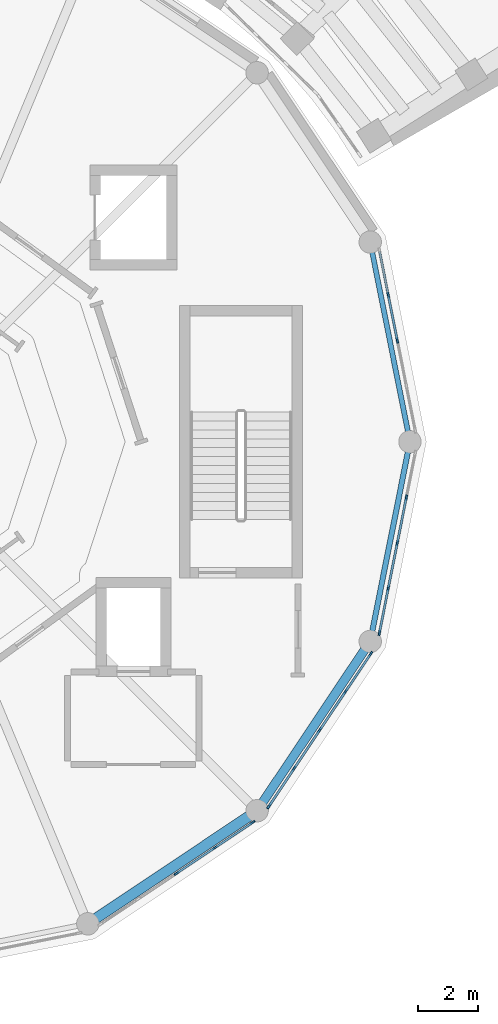
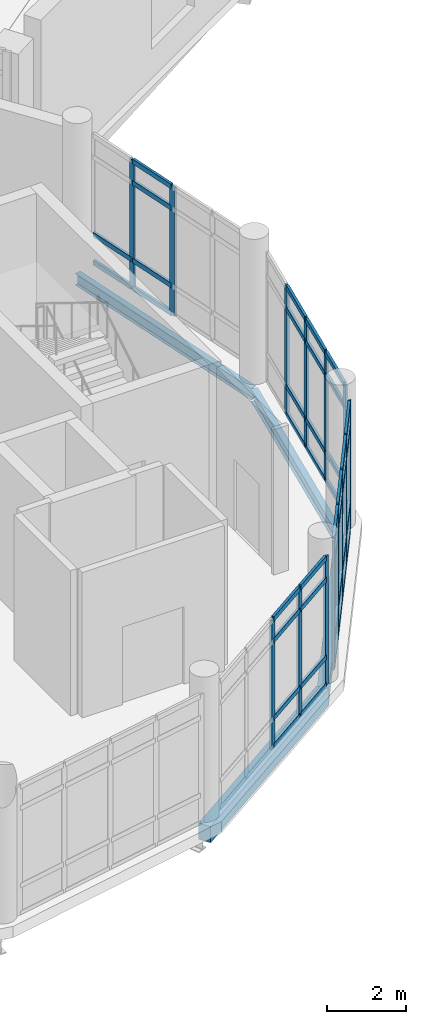
# One storey, part 9 of 27: 56 members, 4 beams, 4 elements without a shape of their own.
"""IFC4 building model written with IfcOpenShell, lengths in metres."""

import ifcopenshell
import ifcopenshell.guid

model = None  # the IFC model being written
_history = None  # IfcOwnerHistory: only IFC2X3 demands one
_inside = {}  # id of a spatial element -> (the spatial element, [elements in it])
_under = {}  # id of a project, library or spatial element -> (it, [spatial elements below it])
_declared = {}  # id of a project -> (the project, [libraries it declares])
_typed = {}  # id of a type object -> (the type object, [elements of that type])
_made_of = {}  # id of a material, layer set ... -> (it, [elements and type objects made of it])


def new_model(schema):
    """Start an empty IFC model of exactly this schema.

    Asked for "IFC4X3", IfcOpenShell would pick the latest addendum, in which some entities
    have other attributes; the version numbers below select the first issue.
    IFC2X3 requires an IfcOwnerHistory on every rooted entity: one is made here for all.
    """
    global model, _history
    if schema == "IFC4X3":
        model = ifcopenshell.file(schema_version=(4, 3, 0, 0))
    else:
        model = ifcopenshell.file(schema=schema)
    _inside.clear()
    _under.clear()
    _declared.clear()
    _typed.clear()
    _made_of.clear()
    _history = None
    if model.schema == "IFC2X3":
        org = make("IfcOrganization", Name="unknown")
        user = make(
            "IfcPersonAndOrganization",
            ThePerson=make("IfcPerson", FamilyName="unknown"),
            TheOrganization=org,
        )
        app = make(
            "IfcApplication",
            ApplicationDeveloper=org,
            Version="unknown",
            ApplicationFullName="unknown",
            ApplicationIdentifier="unknown",
        )
        _history = make(
            "IfcOwnerHistory",
            OwningUser=user,
            OwningApplication=app,
            ChangeAction="ADDED",
            CreationDate=0,
        )
    return model


def make(cls, **values):
    """One entity of the class cls with the attributes given. An attribute that is None is left unset."""
    return model.create_entity(
        cls, **{name: value for name, value in values.items() if value is not None}
    )


def rooted(cls, **values):
    """An entity with a GlobalId (a new one), such as an element, a storey or a relation."""
    return make(cls, GlobalId=ifcopenshell.guid.new(), OwnerHistory=_history, **values)


def si_unit(unit_type, name, prefix=None):
    """IfcSIUnit, for example si_unit("LENGTHUNIT", "METRE", prefix="MILLI")."""
    return make("IfcSIUnit", UnitType=unit_type, Prefix=prefix, Name=name)


def assignment(units):
    """IfcUnitAssignment: the units of a project."""
    return None if units is None else make("IfcUnitAssignment", Units=units)


def point(xyz):
    """IfcCartesianPoint."""
    return None if xyz is None else make("IfcCartesianPoint", Coordinates=xyz)


def direction(xyz):
    """IfcDirection."""
    return None if xyz is None else make("IfcDirection", DirectionRatios=xyz)


def frame(location, z_axis=None, x_axis=None):
    """IfcAxis2Placement3D, a coordinate frame: its origin and axes. An axis left out is left unset."""
    return make(
        "IfcAxis2Placement3D",
        Location=point(location),
        Axis=direction(z_axis),
        RefDirection=direction(x_axis),
    )


def frame_2d(location, x_axis=None):
    """IfcAxis2Placement2D, a coordinate frame in the plane: its origin and x axis."""
    return make(
        "IfcAxis2Placement2D", Location=point(location), RefDirection=direction(x_axis)
    )


def origin():
    """The frame at (0, 0, 0) with its axes left unset."""
    return frame((0.0, 0.0, 0.0))


def origin_2d():
    """The frame at (0, 0) in the plane with its x axis left unset."""
    return frame_2d((0.0, 0.0))


def place(relative_to, where):
    """IfcLocalPlacement: puts the frame where relative to a parent placement (None: the world)."""
    return make(
        "IfcLocalPlacement", PlacementRelTo=relative_to, RelativePlacement=where
    )


def context(
    kind, dimensions, precision=None, world=None, true_north=None, identifier=None
):
    """IfcGeometricRepresentationContext, for example the 3D "Model" context."""
    return make(
        "IfcGeometricRepresentationContext",
        ContextIdentifier=identifier,
        ContextType=kind,
        CoordinateSpaceDimension=dimensions,
        Precision=precision,
        WorldCoordinateSystem=world,
        TrueNorth=true_north,
    )


def subcontext(parent, identifier, kind, view, scale=None):
    """IfcGeometricRepresentationSubContext, for example "Body" below "Model"."""
    return make(
        "IfcGeometricRepresentationSubContext",
        ContextIdentifier=identifier,
        ContextType=kind,
        ParentContext=parent,
        TargetScale=scale,
        TargetView=view,
    )


def project(units=None, contexts=None):
    """IfcProject with its units and contexts."""
    return rooted(
        "IfcProject",
        Name="project",
        RepresentationContexts=contexts,
        UnitsInContext=assignment(units),
    )


def spatial(cls, under=None, at=None, **own):
    """A site, building, storey or space (cls), placed at a placement, below another one or the project."""
    s = rooted(cls, ObjectPlacement=at, **own)
    if under is not None:
        _under.setdefault(under.id(), (under, []))[1].append(s)
    return s


def profile(cls, at=None, kind="AREA", **sizes):
    """A parametric profile (cls). Its sizes go by their IFC names, for example OverallWidth=200.0."""
    return make(cls, ProfileType=kind, Position=at, **sizes)


def rectangle(**sizes):
    """IfcRectangleProfileDef."""
    return profile("IfcRectangleProfileDef", **sizes)


def i_section(**sizes):
    """IfcIShapeProfileDef."""
    return profile("IfcIShapeProfileDef", **sizes)


def extrude(swept, where, along, depth):
    """IfcExtrudedAreaSolid: the profile swept, set in the frame where, extruded along a direction by depth."""
    return make(
        "IfcExtrudedAreaSolid",
        SweptArea=swept,
        Position=where,
        ExtrudedDirection=direction(along),
        Depth=depth,
    )


def shape(context_of_items, identifier, shape_type, items):
    """IfcShapeRepresentation: the items that make up one representation, for example the "Body"."""
    return make(
        "IfcShapeRepresentation",
        ContextOfItems=context_of_items,
        RepresentationIdentifier=identifier,
        RepresentationType=shape_type,
        Items=items,
    )


def material(Name=None, Category=None):
    """IfcMaterial."""
    return make("IfcMaterial", Name=Name, Category=Category)


def material_profile(
    of_material, cross_section, Name=None, Category=None, Priority=None
):
    """IfcMaterialProfile: a cross section and its material."""
    return make(
        "IfcMaterialProfile",
        Name=Name,
        Material=of_material,
        Profile=cross_section,
        Priority=Priority,
        Category=Category,
    )


def profile_set(profiles, Name=None, composite=None):
    """IfcMaterialProfileSet."""
    return make(
        "IfcMaterialProfileSet",
        Name=Name,
        MaterialProfiles=profiles,
        CompositeProfile=composite,
    )


def made_of(thing, what):
    """Note that an element or type object is made of a material, layer set ...; save() writes the relation."""
    if what is not None:
        _made_of.setdefault(what.id(), (what, []))[1].append(thing)
    return thing


def type_object(cls, material=None, **own):
    """A type object (cls), such as IfcWallType, which elements share."""
    return made_of(rooted(cls, **own), material)


def element(
    cls,
    number,
    at=None,
    inside=None,
    cuts=None,
    type_object=None,
    material=None,
    context=None,
    identifier="Body",
    shape_type=None,
    held_by="IfcProductDefinitionShape",
    body=None,
    shapes=None,
    **own,
):
    """One element of the class cls, such as IfcWall. Its Tag is "e" and its number.

    at: its placement. inside: the storey or other place that contains it. cuts: it is an
    opening in that element (IfcRelVoidsElement). A single representation is given by context,
    identifier, shape_type and body (its items); several are given by shapes. held_by: the class
    of the entity that holds the representations. save() writes the other relations.
    """
    e = rooted(cls, Tag="e%d" % number, ObjectPlacement=at, **own)
    if body is not None:
        shapes = [shape(context, identifier, shape_type, body)]
    if shapes is not None:
        e.Representation = make(held_by, Representations=shapes)
    if inside is not None:
        _inside.setdefault(inside.id(), (inside, []))[1].append(e)
    if cuts is not None:
        rooted(
            "IfcRelVoidsElement", RelatingBuildingElement=cuts, RelatedOpeningElement=e
        )
    if type_object is not None:
        _typed.setdefault(type_object.id(), (type_object, []))[1].append(e)
    return made_of(e, material)


def aggregate(whole, parts):
    """IfcRelAggregates: a whole, such as a stair, and the parts it consists of."""
    return rooted("IfcRelAggregates", RelatingObject=whole, RelatedObjects=parts)


def save(model, path):
    """Write the relations noted so far, then the file.

    IfcRelAggregates (storeys below a building ...), IfcRelContainedInSpatialStructure (elements
    in a storey), IfcRelDefinesByType, IfcRelAssociatesMaterial and IfcRelDeclares: one each for
    every whole, place, type object, material and project.
    """
    for whole, parts in _under.values():
        aggregate(whole, parts)
    for where, things in _inside.values():
        rooted(
            "IfcRelContainedInSpatialStructure",
            RelatedElements=things,
            RelatingStructure=where,
        )
    for kind, things in _typed.values():
        rooted("IfcRelDefinesByType", RelatedObjects=things, RelatingType=kind)
    for what, things in _made_of.values():
        rooted("IfcRelAssociatesMaterial", RelatedObjects=things, RelatingMaterial=what)
    for by, libraries in _declared.values():
        rooted("IfcRelDeclares", RelatingContext=by, RelatedDefinitions=libraries)
    model.write(path)


model = new_model("IFC4")

# Units and contexts
model_context = context("Model", 3, precision=1e-05, world=origin(), true_north=direction((0.0, 1.0)))
body_context = subcontext(model_context, "Body", "Model", "MODEL_VIEW")
ifc_project = project(units=[si_unit("LENGTHUNIT", "METRE"), si_unit("AREAUNIT", "SQUARE_METRE"), si_unit("VOLUMEUNIT", "CUBIC_METRE"), si_unit("PLANEANGLEUNIT", "RADIAN"), si_unit("MASSUNIT", "GRAM", prefix="KILO")], contexts=[model_context])

# Site, building, storey
site_placement = place(None, origin())
site = spatial("IfcSite", under=ifc_project, at=site_placement, CompositionType="ELEMENT")
building_placement = place(site_placement, origin())
building = spatial("IfcBuilding", under=site, at=building_placement, Name="Soyqirgoq Riverine Aquarium", CompositionType="ELEMENT")
storey_placement = place(building_placement, frame((0.0, 0.0, 19.800048828125)))
storey = spatial("IfcBuildingStorey", under=building, at=storey_placement, Name="L05", CompositionType="ELEMENT", Elevation=19.800048828125)

# Curtain wall, members
ifc_material_1 = material(Name="Anodised aluminium thermally broken triple low-E glazing", Category="aluminium")
curtain_wall_type = type_object("IfcCurtainWallType", Name="CW_DrumGallery_Unitised", PredefinedType="NOTDEFINED", material=ifc_material_1)
curtain_wall_1_placement = place(storey_placement, origin())
curtain_wall_1 = element("IfcCurtainWall", 1, at=curtain_wall_1_placement, inside=storey, type_object=curtain_wall_type, Name="V1 L05 Curtain Wall 005", PredefinedType="NOTDEFINED")
ifc_material_2 = material(Name="Anodised aluminium 6063-T6", Category="aluminium")
ifc_material_profile_1 = material_profile(ifc_material_2, rectangle(XDim=0.06494140625, YDim=0.179931640625, at=origin_2d()), Name="ALU-M 65x180")
ifc_profile_set_1 = profile_set([ifc_material_profile_1], Name="Anodised aluminium 6063-T6")
member_type_1 = type_object("IfcMemberType", Name="CWMullion_65x180", PredefinedType="MULLION", material=ifc_profile_set_1)
member_1_placement = place(storey_placement, frame((73.0263671875, 60.38671875, 0.0), z_axis=(0.0, 0.0, 1.0), x_axis=(-0.980787663396, -0.19507834152, 0.0)))
member_1 = element("IfcMember", 2, at=member_1_placement, type_object=member_type_1, Name="CW-01 mullion 3", PredefinedType="MULLION", context=body_context, shape_type="SweptSolid", body=[
    extrude(rectangle(XDim=0.06494140625, YDim=0.179931640625, at=origin_2d()), origin(), (0.0, 0.0, 1.0), 4.0),
])
member_2_placement = place(storey_placement, frame((72.724365234375, 61.904541015625, 0.0), z_axis=(0.0, 0.0, 1.0), x_axis=(-0.980787663396, -0.19507834152, 0.0)))
member_2 = element("IfcMember", 3, at=member_2_placement, type_object=member_type_1, Name="CW-01 mullion 4", PredefinedType="MULLION", context=body_context, shape_type="SweptSolid", body=[
    extrude(rectangle(XDim=0.06494140625, YDim=0.179931640625, at=origin_2d()), origin(), (0.0, 0.0, 1.0), 4.0),
])

curtain_wall_2_placement = place(storey_placement, origin())
curtain_wall_2 = element("IfcCurtainWall", 4, at=curtain_wall_2_placement, inside=storey, type_object=curtain_wall_type, Name="V1 L05 Curtain Wall 064", PredefinedType="NOTDEFINED")
member_3_placement = place(storey_placement, frame((65.64453125, 42.565673828125, 0.0), z_axis=(0.0, 0.0, 1.0), x_axis=(-0.55556109542, 0.831475717779, 0.0)))
member_3 = element("IfcMember", 5, at=member_3_placement, type_object=member_type_1, Name="CW-01 mullion 3", PredefinedType="MULLION", context=body_context, shape_type="SweptSolid", body=[
    extrude(rectangle(XDim=0.06494140625, YDim=0.179931640625, at=origin_2d()), origin(), (0.0, 0.0, 1.0), 4.0),
])
member_4_placement = place(storey_placement, frame((66.931396484375, 43.425537109375, 0.0), z_axis=(0.0, 0.0, 1.0), x_axis=(-0.55556109542, 0.831475717779, 0.0)))
member_4 = element("IfcMember", 6, at=member_4_placement, type_object=member_type_1, Name="CW-01 mullion 4", PredefinedType="MULLION", context=body_context, shape_type="SweptSolid", body=[
    extrude(rectangle(XDim=0.06494140625, YDim=0.179931640625, at=origin_2d()), origin(), (0.0, 0.0, 1.0), 4.0),
])
member_5_placement = place(storey_placement, frame((68.19091796875, 44.26708984375, 0.0), z_axis=(0.0, 0.0, 1.0), x_axis=(-0.55556109542, 0.831475717779, 0.0)))
member_5 = element("IfcMember", 7, at=member_5_placement, type_object=member_type_1, Name="CW-01 mullion 5", PredefinedType="MULLION", context=body_context, shape_type="SweptSolid", body=[
    extrude(rectangle(XDim=0.06494140625, YDim=0.179931640625, at=origin_2d()), origin(), (0.0, 0.0, 1.0), 4.0),
])

curtain_wall_3_placement = place(storey_placement, origin())
curtain_wall_3 = element("IfcCurtainWall", 8, at=curtain_wall_3_placement, inside=storey, type_object=curtain_wall_type, Name="V1 L05 Curtain Wall 069", PredefinedType="NOTDEFINED")
member_6_placement = place(storey_placement, frame((68.73291015625, 44.80908203125, 0.0), z_axis=(0.0, 0.0, 1.0), x_axis=(-0.831475717779, 0.55556109542, 0.0)))
member_6 = element("IfcMember", 9, at=member_6_placement, type_object=member_type_1, Name="CW-01 mullion 1", PredefinedType="MULLION", context=body_context, shape_type="SweptSolid", body=[
    extrude(rectangle(XDim=0.06494140625, YDim=0.179931640625, at=origin_2d()), origin(), (0.0, 0.0, 1.0), 4.0),
])
member_7_placement = place(storey_placement, frame((69.574462890625, 46.068603515625, 0.0), z_axis=(0.0, 0.0, 1.0), x_axis=(-0.831475717779, 0.55556109542, 0.0)))
member_7 = element("IfcMember", 10, at=member_7_placement, type_object=member_type_1, Name="CW-01 mullion 2", PredefinedType="MULLION", context=body_context, shape_type="SweptSolid", body=[
    extrude(rectangle(XDim=0.06494140625, YDim=0.179931640625, at=origin_2d()), origin(), (0.0, 0.0, 1.0), 4.0),
])
member_8_placement = place(storey_placement, frame((70.434326171875, 47.35546875, 0.0), z_axis=(0.0, 0.0, 1.0), x_axis=(-0.831475717779, 0.55556109542, 0.0)))
member_8 = element("IfcMember", 11, at=member_8_placement, type_object=member_type_1, Name="CW-01 mullion 3", PredefinedType="MULLION", context=body_context, shape_type="SweptSolid", body=[
    extrude(rectangle(XDim=0.06494140625, YDim=0.179931640625, at=origin_2d()), origin(), (0.0, 0.0, 1.0), 4.0),
])
member_9_placement = place(storey_placement, frame((71.2939453125, 48.64208984375, 0.0), z_axis=(0.0, 0.0, 1.0), x_axis=(-0.831475717779, 0.55556109542, 0.0)))
member_9 = element("IfcMember", 12, at=member_9_placement, type_object=member_type_1, Name="CW-01 mullion 4", PredefinedType="MULLION", context=body_context, shape_type="SweptSolid", body=[
    extrude(rectangle(XDim=0.06494140625, YDim=0.179931640625, at=origin_2d()), origin(), (0.0, 0.0, 1.0), 4.0),
])
member_10_placement = place(storey_placement, frame((72.1357421875, 49.90185546875, 0.0), z_axis=(0.0, 0.0, 1.0), x_axis=(-0.831475717779, 0.55556109542, 0.0)))
member_10 = element("IfcMember", 13, at=member_10_placement, type_object=member_type_1, Name="CW-01 mullion 5", PredefinedType="MULLION", context=body_context, shape_type="SweptSolid", body=[
    extrude(rectangle(XDim=0.06494140625, YDim=0.179931640625, at=origin_2d()), origin(), (0.0, 0.0, 1.0), 4.0),
])

curtain_wall_4_placement = place(storey_placement, origin())
curtain_wall_4 = element("IfcCurtainWall", 14, at=curtain_wall_4_placement, inside=storey, type_object=curtain_wall_type, Name="V1 L05 Curtain Wall 076", PredefinedType="NOTDEFINED")
member_11_placement = place(storey_placement, frame((72.428955078125, 50.609619140625, 0.0), z_axis=(0.0, 0.0, 1.0), x_axis=(-0.980787663396, 0.19507834152, 0.0)))
member_11 = element("IfcMember", 15, at=member_11_placement, type_object=member_type_1, Name="CW-01 mullion 1", PredefinedType="MULLION", context=body_context, shape_type="SweptSolid", body=[
    extrude(rectangle(XDim=0.06494140625, YDim=0.179931640625, at=origin_2d()), origin(), (0.0, 0.0, 1.0), 4.0),
])
member_12_placement = place(storey_placement, frame((72.724365234375, 52.095458984375, 0.0), z_axis=(0.0, 0.0, 1.0), x_axis=(-0.980787663396, 0.19507834152, 0.0)))
member_12 = element("IfcMember", 16, at=member_12_placement, type_object=member_type_1, Name="CW-01 mullion 2", PredefinedType="MULLION", context=body_context, shape_type="SweptSolid", body=[
    extrude(rectangle(XDim=0.06494140625, YDim=0.179931640625, at=origin_2d()), origin(), (0.0, 0.0, 1.0), 4.0),
])
member_13_placement = place(storey_placement, frame((73.0263671875, 53.61328125, 0.0), z_axis=(0.0, 0.0, 1.0), x_axis=(-0.980787663396, 0.19507834152, 0.0)))
member_13 = element("IfcMember", 17, at=member_13_placement, type_object=member_type_1, Name="CW-01 mullion 3", PredefinedType="MULLION", context=body_context, shape_type="SweptSolid", body=[
    extrude(rectangle(XDim=0.06494140625, YDim=0.179931640625, at=origin_2d()), origin(), (0.0, 0.0, 1.0), 4.0),
])
member_14_placement = place(storey_placement, frame((73.328125, 55.130859375, 0.0), z_axis=(0.0, 0.0, 1.0), x_axis=(-0.980787663396, 0.19507834152, 0.0)))
member_14 = element("IfcMember", 18, at=member_14_placement, type_object=member_type_1, Name="CW-01 mullion 4", PredefinedType="MULLION", context=body_context, shape_type="SweptSolid", body=[
    extrude(rectangle(XDim=0.06494140625, YDim=0.179931640625, at=origin_2d()), origin(), (0.0, 0.0, 1.0), 4.0),
])

# Member
ifc_material_3 = material(Name="Anodised aluminium 6063-T6", Category="aluminium")
ifc_material_profile_2 = material_profile(ifc_material_3, rectangle(XDim=0.074951171875, YDim=0.14990234375, at=origin_2d()), Name="ALU-T 75x150")
ifc_profile_set_2 = profile_set([ifc_material_profile_2], Name="Anodised aluminium 6063-T6")
member_type_2 = type_object("IfcMemberType", Name="CWTransom_75x150", PredefinedType="USERDEFINED", material=ifc_profile_set_2)
member_15_placement = place(storey_placement, frame((73.02001953125, 60.418701171875, 0.037353515625), z_axis=(-0.19516586844, 0.980770250261, 0.0), x_axis=(-0.980770250261, -0.19516586844, 0.0)))
member_15 = element("IfcMember", 19, at=member_15_placement, type_object=member_type_2, Name="CW-01 transom 3.1", ObjectType="TRANSOM", PredefinedType="USERDEFINED", context=body_context, shape_type="SweptSolid", body=[
    extrude(rectangle(XDim=0.074951171875, YDim=0.14990234375, at=origin_2d()), origin(), (0.0, 0.0, 1.0), 1.482421875),
])

member_16_placement = place(storey_placement, frame((73.02001953125, 60.418701171875, 0.89990234375), z_axis=(-0.19516586844, 0.980770250261, 0.0), x_axis=(-0.980770250261, -0.19516586844, 0.0)))
member_16 = element("IfcMember", 20, at=member_16_placement, type_object=member_type_2, Name="CW-01 transom 3.2", ObjectType="TRANSOM", PredefinedType="USERDEFINED", context=body_context, shape_type="SweptSolid", body=[
    extrude(rectangle(XDim=0.074951171875, YDim=0.14990234375, at=origin_2d()), origin(), (0.0, 0.0, 1.0), 1.482421875),
])

member_17_placement = place(storey_placement, frame((73.02001953125, 60.418701171875, 3.300048828125), z_axis=(-0.19516586844, 0.980770250261, 0.0), x_axis=(-0.980770250261, -0.19516586844, 0.0)))
member_17 = element("IfcMember", 21, at=member_17_placement, type_object=member_type_2, Name="CW-01 transom 3.3", ObjectType="TRANSOM", PredefinedType="USERDEFINED", context=body_context, shape_type="SweptSolid", body=[
    extrude(rectangle(XDim=0.074951171875, YDim=0.14990234375, at=origin_2d()), origin(), (0.0, 0.0, 1.0), 1.482421875),
])

member_18_placement = place(storey_placement, frame((73.02001953125, 60.418701171875, 3.96240234375), z_axis=(-0.19516586844, 0.980770250261, 0.0), x_axis=(-0.980770250261, -0.19516586844, 0.0)))
member_18 = element("IfcMember", 22, at=member_18_placement, type_object=member_type_2, Name="CW-01 transom 3.4", ObjectType="TRANSOM", PredefinedType="USERDEFINED", context=body_context, shape_type="SweptSolid", body=[
    extrude(rectangle(XDim=0.074951171875, YDim=0.14990234375, at=origin_2d()), origin(), (0.0, 0.0, 1.0), 1.482421875),
])

member_19_placement = place(storey_placement, frame((72.718017578125, 61.936279296875, 0.037353515625), z_axis=(-0.194982685105, 0.980806684576, 0.0), x_axis=(-0.980806684576, -0.194982685105, 0.0)))
member_19 = element("IfcMember", 23, at=member_19_placement, type_object=member_type_2, Name="CW-01 transom 4.1", ObjectType="TRANSOM", PredefinedType="USERDEFINED", context=body_context, shape_type="SweptSolid", body=[
    extrude(rectangle(XDim=0.074951171875, YDim=0.14990234375, at=origin_2d()), origin(), (0.0, 0.0, 1.0), 1.449951171875),
])

member_20_placement = place(storey_placement, frame((72.718017578125, 61.936279296875, 0.89990234375), z_axis=(-0.194982685105, 0.980806684576, 0.0), x_axis=(-0.980806684576, -0.194982685105, 0.0)))
member_20 = element("IfcMember", 24, at=member_20_placement, type_object=member_type_2, Name="CW-01 transom 4.2", ObjectType="TRANSOM", PredefinedType="USERDEFINED", context=body_context, shape_type="SweptSolid", body=[
    extrude(rectangle(XDim=0.074951171875, YDim=0.14990234375, at=origin_2d()), origin(), (0.0, 0.0, 1.0), 1.449951171875),
])

aggregate(curtain_wall_1, [member_1, member_2, member_15, member_16, member_17, member_18, member_19, member_20])

member_21_placement = place(storey_placement, frame((65.671630859375, 42.583740234375, 0.037353515625), z_axis=(0.831441765394, 0.555611906603, 0.0), x_axis=(-0.555611906603, 0.831441765394, 0.0)))
member_21 = element("IfcMember", 25, at=member_21_placement, type_object=member_type_2, Name="CW-01 transom 3.1", ObjectType="TRANSOM", PredefinedType="USERDEFINED", context=body_context, shape_type="SweptSolid", body=[
    extrude(rectangle(XDim=0.074951171875, YDim=0.14990234375, at=origin_2d()), origin(), (0.0, 0.0, 1.0), 1.482666015625),
])

member_22_placement = place(storey_placement, frame((65.671630859375, 42.583740234375, 0.89990234375), z_axis=(0.831441765394, 0.555611906603, 0.0), x_axis=(-0.555611906603, 0.831441765394, 0.0)))
member_22 = element("IfcMember", 26, at=member_22_placement, type_object=member_type_2, Name="CW-01 transom 3.2", ObjectType="TRANSOM", PredefinedType="USERDEFINED", context=body_context, shape_type="SweptSolid", body=[
    extrude(rectangle(XDim=0.074951171875, YDim=0.14990234375, at=origin_2d()), origin(), (0.0, 0.0, 1.0), 1.482666015625),
])

member_23_placement = place(storey_placement, frame((65.671630859375, 42.583740234375, 3.300048828125), z_axis=(0.831441765394, 0.555611906603, 0.0), x_axis=(-0.555611906603, 0.831441765394, 0.0)))
member_23 = element("IfcMember", 27, at=member_23_placement, type_object=member_type_2, Name="CW-01 transom 3.3", ObjectType="TRANSOM", PredefinedType="USERDEFINED", context=body_context, shape_type="SweptSolid", body=[
    extrude(rectangle(XDim=0.074951171875, YDim=0.14990234375, at=origin_2d()), origin(), (0.0, 0.0, 1.0), 1.482666015625),
])

member_24_placement = place(storey_placement, frame((65.671630859375, 42.583740234375, 3.96240234375), z_axis=(0.831441765394, 0.555611906603, 0.0), x_axis=(-0.555611906603, 0.831441765394, 0.0)))
member_24 = element("IfcMember", 28, at=member_24_placement, type_object=member_type_2, Name="CW-01 transom 3.4", ObjectType="TRANSOM", PredefinedType="USERDEFINED", context=body_context, shape_type="SweptSolid", body=[
    extrude(rectangle(XDim=0.074951171875, YDim=0.14990234375, at=origin_2d()), origin(), (0.0, 0.0, 1.0), 1.482666015625),
])

member_25_placement = place(storey_placement, frame((66.958251953125, 43.443603515625, 0.037353515625), z_axis=(0.831557821181, 0.555438196411, 0.0), x_axis=(-0.555438196411, 0.831557821181, 0.0)))
member_25 = element("IfcMember", 29, at=member_25_placement, type_object=member_type_2, Name="CW-01 transom 4.1", ObjectType="TRANSOM", PredefinedType="USERDEFINED", context=body_context, shape_type="SweptSolid", body=[
    extrude(rectangle(XDim=0.074951171875, YDim=0.14990234375, at=origin_2d()), origin(), (0.0, 0.0, 1.0), 1.449951171875),
])

member_26_placement = place(storey_placement, frame((66.958251953125, 43.443603515625, 0.89990234375), z_axis=(0.831557821181, 0.555438196411, 0.0), x_axis=(-0.555438196411, 0.831557821181, 0.0)))
member_26 = element("IfcMember", 30, at=member_26_placement, type_object=member_type_2, Name="CW-01 transom 4.2", ObjectType="TRANSOM", PredefinedType="USERDEFINED", context=body_context, shape_type="SweptSolid", body=[
    extrude(rectangle(XDim=0.074951171875, YDim=0.14990234375, at=origin_2d()), origin(), (0.0, 0.0, 1.0), 1.449951171875),
])

member_27_placement = place(storey_placement, frame((66.958251953125, 43.443603515625, 3.300048828125), z_axis=(0.831557821181, 0.555438196411, 0.0), x_axis=(-0.555438196411, 0.831557821181, 0.0)))
member_27 = element("IfcMember", 31, at=member_27_placement, type_object=member_type_2, Name="CW-01 transom 4.3", ObjectType="TRANSOM", PredefinedType="USERDEFINED", context=body_context, shape_type="SweptSolid", body=[
    extrude(rectangle(XDim=0.074951171875, YDim=0.14990234375, at=origin_2d()), origin(), (0.0, 0.0, 1.0), 1.449951171875),
])

member_28_placement = place(storey_placement, frame((66.958251953125, 43.443603515625, 3.96240234375), z_axis=(0.831557821181, 0.555438196411, 0.0), x_axis=(-0.555438196411, 0.831557821181, 0.0)))
member_28 = element("IfcMember", 32, at=member_28_placement, type_object=member_type_2, Name="CW-01 transom 4.4", ObjectType="TRANSOM", PredefinedType="USERDEFINED", context=body_context, shape_type="SweptSolid", body=[
    extrude(rectangle(XDim=0.074951171875, YDim=0.14990234375, at=origin_2d()), origin(), (0.0, 0.0, 1.0), 1.449951171875),
])

aggregate(curtain_wall_2, [member_3, member_4, member_5, member_21, member_22, member_23, member_24, member_25, member_26, member_27, member_28])

member_29_placement = place(storey_placement, frame((68.7509765625, 44.8359375, 0.037353515625), z_axis=(0.555438196411, 0.831557821181, 0.0), x_axis=(-0.831557821181, 0.555438196411, 0.0)))
member_29 = element("IfcMember", 33, at=member_29_placement, type_object=member_type_2, Name="CW-01 transom 1.1", ObjectType="TRANSOM", PredefinedType="USERDEFINED", context=body_context, shape_type="SweptSolid", body=[
    extrude(rectangle(XDim=0.074951171875, YDim=0.14990234375, at=origin_2d()), origin(), (0.0, 0.0, 1.0), 1.449951171875),
])

member_30_placement = place(storey_placement, frame((68.7509765625, 44.8359375, 0.89990234375), z_axis=(0.555438196411, 0.831557821181, 0.0), x_axis=(-0.831557821181, 0.555438196411, 0.0)))
member_30 = element("IfcMember", 34, at=member_30_placement, type_object=member_type_2, Name="CW-01 transom 1.2", ObjectType="TRANSOM", PredefinedType="USERDEFINED", context=body_context, shape_type="SweptSolid", body=[
    extrude(rectangle(XDim=0.074951171875, YDim=0.14990234375, at=origin_2d()), origin(), (0.0, 0.0, 1.0), 1.449951171875),
])

member_31_placement = place(storey_placement, frame((68.7509765625, 44.8359375, 3.300048828125), z_axis=(0.555438196411, 0.831557821181, 0.0), x_axis=(-0.831557821181, 0.555438196411, 0.0)))
member_31 = element("IfcMember", 35, at=member_31_placement, type_object=member_type_2, Name="CW-01 transom 1.3", ObjectType="TRANSOM", PredefinedType="USERDEFINED", context=body_context, shape_type="SweptSolid", body=[
    extrude(rectangle(XDim=0.074951171875, YDim=0.14990234375, at=origin_2d()), origin(), (0.0, 0.0, 1.0), 1.449951171875),
])

member_32_placement = place(storey_placement, frame((68.7509765625, 44.8359375, 3.96240234375), z_axis=(0.555438196411, 0.831557821181, 0.0), x_axis=(-0.831557821181, 0.555438196411, 0.0)))
member_32 = element("IfcMember", 36, at=member_32_placement, type_object=member_type_2, Name="CW-01 transom 1.4", ObjectType="TRANSOM", PredefinedType="USERDEFINED", context=body_context, shape_type="SweptSolid", body=[
    extrude(rectangle(XDim=0.074951171875, YDim=0.14990234375, at=origin_2d()), origin(), (0.0, 0.0, 1.0), 1.449951171875),
])

member_33_placement = place(storey_placement, frame((69.592529296875, 46.095703125, 0.037353515625), z_axis=(0.555611906603, 0.831441765394, 0.0), x_axis=(-0.831441765394, 0.555611906603, 0.0)))
member_33 = element("IfcMember", 37, at=member_33_placement, type_object=member_type_2, Name="CW-01 transom 2.1", ObjectType="TRANSOM", PredefinedType="USERDEFINED", context=body_context, shape_type="SweptSolid", body=[
    extrude(rectangle(XDim=0.074951171875, YDim=0.14990234375, at=origin_2d()), origin(), (0.0, 0.0, 1.0), 1.482666015625),
])

member_34_placement = place(storey_placement, frame((69.592529296875, 46.095703125, 0.89990234375), z_axis=(0.555611906603, 0.831441765394, 0.0), x_axis=(-0.831441765394, 0.555611906603, 0.0)))
member_34 = element("IfcMember", 38, at=member_34_placement, type_object=member_type_2, Name="CW-01 transom 2.2", ObjectType="TRANSOM", PredefinedType="USERDEFINED", context=body_context, shape_type="SweptSolid", body=[
    extrude(rectangle(XDim=0.074951171875, YDim=0.14990234375, at=origin_2d()), origin(), (0.0, 0.0, 1.0), 1.482666015625),
])

member_35_placement = place(storey_placement, frame((69.592529296875, 46.095703125, 3.300048828125), z_axis=(0.555611906603, 0.831441765394, 0.0), x_axis=(-0.831441765394, 0.555611906603, 0.0)))
member_35 = element("IfcMember", 39, at=member_35_placement, type_object=member_type_2, Name="CW-01 transom 2.3", ObjectType="TRANSOM", PredefinedType="USERDEFINED", context=body_context, shape_type="SweptSolid", body=[
    extrude(rectangle(XDim=0.074951171875, YDim=0.14990234375, at=origin_2d()), origin(), (0.0, 0.0, 1.0), 1.482666015625),
])

member_36_placement = place(storey_placement, frame((69.592529296875, 46.095703125, 3.96240234375), z_axis=(0.555611906603, 0.831441765394, 0.0), x_axis=(-0.831441765394, 0.555611906603, 0.0)))
member_36 = element("IfcMember", 40, at=member_36_placement, type_object=member_type_2, Name="CW-01 transom 2.4", ObjectType="TRANSOM", PredefinedType="USERDEFINED", context=body_context, shape_type="SweptSolid", body=[
    extrude(rectangle(XDim=0.074951171875, YDim=0.14990234375, at=origin_2d()), origin(), (0.0, 0.0, 1.0), 1.482666015625),
])

member_37_placement = place(storey_placement, frame((70.452392578125, 47.38232421875, 0.037353515625), z_axis=(0.555498052223, 0.831517837437, 0.0), x_axis=(-0.831517837437, 0.555498052223, 0.0)))
member_37 = element("IfcMember", 41, at=member_37_placement, type_object=member_type_2, Name="CW-01 transom 3.1", ObjectType="TRANSOM", PredefinedType="USERDEFINED", context=body_context, shape_type="SweptSolid", body=[
    extrude(rectangle(XDim=0.074951171875, YDim=0.14990234375, at=origin_2d()), origin(), (0.0, 0.0, 1.0), 1.482421875),
])

member_38_placement = place(storey_placement, frame((70.452392578125, 47.38232421875, 0.89990234375), z_axis=(0.555498052223, 0.831517837437, 0.0), x_axis=(-0.831517837437, 0.555498052223, 0.0)))
member_38 = element("IfcMember", 42, at=member_38_placement, type_object=member_type_2, Name="CW-01 transom 3.2", ObjectType="TRANSOM", PredefinedType="USERDEFINED", context=body_context, shape_type="SweptSolid", body=[
    extrude(rectangle(XDim=0.074951171875, YDim=0.14990234375, at=origin_2d()), origin(), (0.0, 0.0, 1.0), 1.482421875),
])

member_39_placement = place(storey_placement, frame((70.452392578125, 47.38232421875, 3.300048828125), z_axis=(0.555498052223, 0.831517837437, 0.0), x_axis=(-0.831517837437, 0.555498052223, 0.0)))
member_39 = element("IfcMember", 43, at=member_39_placement, type_object=member_type_2, Name="CW-01 transom 3.3", ObjectType="TRANSOM", PredefinedType="USERDEFINED", context=body_context, shape_type="SweptSolid", body=[
    extrude(rectangle(XDim=0.074951171875, YDim=0.14990234375, at=origin_2d()), origin(), (0.0, 0.0, 1.0), 1.482421875),
])

member_40_placement = place(storey_placement, frame((70.452392578125, 47.38232421875, 3.96240234375), z_axis=(0.555498052223, 0.831517837437, 0.0), x_axis=(-0.831517837437, 0.555498052223, 0.0)))
member_40 = element("IfcMember", 44, at=member_40_placement, type_object=member_type_2, Name="CW-01 transom 3.4", ObjectType="TRANSOM", PredefinedType="USERDEFINED", context=body_context, shape_type="SweptSolid", body=[
    extrude(rectangle(XDim=0.074951171875, YDim=0.14990234375, at=origin_2d()), origin(), (0.0, 0.0, 1.0), 1.482421875),
])

member_41_placement = place(storey_placement, frame((71.31201171875, 48.669189453125, 0.037353515625), z_axis=(0.555632377709, 0.831428085189, 0.0), x_axis=(-0.831428085189, 0.555632377709, 0.0)))
member_41 = element("IfcMember", 45, at=member_41_placement, type_object=member_type_2, Name="CW-01 transom 4.1", ObjectType="TRANSOM", PredefinedType="USERDEFINED", context=body_context, shape_type="SweptSolid", body=[
    extrude(rectangle(XDim=0.074951171875, YDim=0.14990234375, at=origin_2d()), origin(), (0.0, 0.0, 1.0), 1.449951171875),
])

member_42_placement = place(storey_placement, frame((71.31201171875, 48.669189453125, 0.89990234375), z_axis=(0.555632377709, 0.831428085189, 0.0), x_axis=(-0.831428085189, 0.555632377709, 0.0)))
member_42 = element("IfcMember", 46, at=member_42_placement, type_object=member_type_2, Name="CW-01 transom 4.2", ObjectType="TRANSOM", PredefinedType="USERDEFINED", context=body_context, shape_type="SweptSolid", body=[
    extrude(rectangle(XDim=0.074951171875, YDim=0.14990234375, at=origin_2d()), origin(), (0.0, 0.0, 1.0), 1.449951171875),
])

member_43_placement = place(storey_placement, frame((71.31201171875, 48.669189453125, 3.300048828125), z_axis=(0.555632377709, 0.831428085189, 0.0), x_axis=(-0.831428085189, 0.555632377709, 0.0)))
member_43 = element("IfcMember", 47, at=member_43_placement, type_object=member_type_2, Name="CW-01 transom 4.3", ObjectType="TRANSOM", PredefinedType="USERDEFINED", context=body_context, shape_type="SweptSolid", body=[
    extrude(rectangle(XDim=0.074951171875, YDim=0.14990234375, at=origin_2d()), origin(), (0.0, 0.0, 1.0), 1.449951171875),
])

member_44_placement = place(storey_placement, frame((71.31201171875, 48.669189453125, 3.96240234375), z_axis=(0.555632377709, 0.831428085189, 0.0), x_axis=(-0.831428085189, 0.555632377709, 0.0)))
member_44 = element("IfcMember", 48, at=member_44_placement, type_object=member_type_2, Name="CW-01 transom 4.4", ObjectType="TRANSOM", PredefinedType="USERDEFINED", context=body_context, shape_type="SweptSolid", body=[
    extrude(rectangle(XDim=0.074951171875, YDim=0.14990234375, at=origin_2d()), origin(), (0.0, 0.0, 1.0), 1.449951171875),
])

aggregate(curtain_wall_3, [member_6, member_7, member_8, member_9, member_10, member_29, member_30, member_31, member_32, member_33, member_34, member_35, member_36, member_37, member_38, member_39, member_40, member_41, member_42, member_43, member_44])

member_45_placement = place(storey_placement, frame((72.435302734375, 50.6416015625, 0.037353515625), z_axis=(0.194982685105, 0.980806684576, 0.0), x_axis=(-0.980806684576, 0.194982685105, 0.0)))
member_45 = element("IfcMember", 49, at=member_45_placement, type_object=member_type_2, Name="CW-01 transom 1.1", ObjectType="TRANSOM", PredefinedType="USERDEFINED", context=body_context, shape_type="SweptSolid", body=[
    extrude(rectangle(XDim=0.074951171875, YDim=0.14990234375, at=origin_2d()), origin(), (0.0, 0.0, 1.0), 1.449951171875),
])

member_46_placement = place(storey_placement, frame((72.435302734375, 50.6416015625, 0.89990234375), z_axis=(0.194982685105, 0.980806684576, 0.0), x_axis=(-0.980806684576, 0.194982685105, 0.0)))
member_46 = element("IfcMember", 50, at=member_46_placement, type_object=member_type_2, Name="CW-01 transom 1.2", ObjectType="TRANSOM", PredefinedType="USERDEFINED", context=body_context, shape_type="SweptSolid", body=[
    extrude(rectangle(XDim=0.074951171875, YDim=0.14990234375, at=origin_2d()), origin(), (0.0, 0.0, 1.0), 1.449951171875),
])

member_47_placement = place(storey_placement, frame((72.435302734375, 50.6416015625, 3.300048828125), z_axis=(0.194982685105, 0.980806684576, 0.0), x_axis=(-0.980806684576, 0.194982685105, 0.0)))
member_47 = element("IfcMember", 51, at=member_47_placement, type_object=member_type_2, Name="CW-01 transom 1.3", ObjectType="TRANSOM", PredefinedType="USERDEFINED", context=body_context, shape_type="SweptSolid", body=[
    extrude(rectangle(XDim=0.074951171875, YDim=0.14990234375, at=origin_2d()), origin(), (0.0, 0.0, 1.0), 1.449951171875),
])

member_48_placement = place(storey_placement, frame((72.435302734375, 50.6416015625, 3.96240234375), z_axis=(0.194982685105, 0.980806684576, 0.0), x_axis=(-0.980806684576, 0.194982685105, 0.0)))
member_48 = element("IfcMember", 52, at=member_48_placement, type_object=member_type_2, Name="CW-01 transom 1.4", ObjectType="TRANSOM", PredefinedType="USERDEFINED", context=body_context, shape_type="SweptSolid", body=[
    extrude(rectangle(XDim=0.074951171875, YDim=0.14990234375, at=origin_2d()), origin(), (0.0, 0.0, 1.0), 1.449951171875),
])

member_49_placement = place(storey_placement, frame((72.730712890625, 52.12744140625, 0.037353515625), z_axis=(0.19516586844, 0.980770250261, 0.0), x_axis=(-0.980770250261, 0.19516586844, 0.0)))
member_49 = element("IfcMember", 53, at=member_49_placement, type_object=member_type_2, Name="CW-01 transom 2.1", ObjectType="TRANSOM", PredefinedType="USERDEFINED", context=body_context, shape_type="SweptSolid", body=[
    extrude(rectangle(XDim=0.074951171875, YDim=0.14990234375, at=origin_2d()), origin(), (0.0, 0.0, 1.0), 1.482421875),
])

member_50_placement = place(storey_placement, frame((72.730712890625, 52.12744140625, 0.89990234375), z_axis=(0.19516586844, 0.980770250261, 0.0), x_axis=(-0.980770250261, 0.19516586844, 0.0)))
member_50 = element("IfcMember", 54, at=member_50_placement, type_object=member_type_2, Name="CW-01 transom 2.2", ObjectType="TRANSOM", PredefinedType="USERDEFINED", context=body_context, shape_type="SweptSolid", body=[
    extrude(rectangle(XDim=0.074951171875, YDim=0.14990234375, at=origin_2d()), origin(), (0.0, 0.0, 1.0), 1.482421875),
])

member_51_placement = place(storey_placement, frame((72.730712890625, 52.12744140625, 3.300048828125), z_axis=(0.19516586844, 0.980770250261, 0.0), x_axis=(-0.980770250261, 0.19516586844, 0.0)))
member_51 = element("IfcMember", 55, at=member_51_placement, type_object=member_type_2, Name="CW-01 transom 2.3", ObjectType="TRANSOM", PredefinedType="USERDEFINED", context=body_context, shape_type="SweptSolid", body=[
    extrude(rectangle(XDim=0.074951171875, YDim=0.14990234375, at=origin_2d()), origin(), (0.0, 0.0, 1.0), 1.482421875),
])

member_52_placement = place(storey_placement, frame((72.730712890625, 52.12744140625, 3.96240234375), z_axis=(0.19516586844, 0.980770250261, 0.0), x_axis=(-0.980770250261, 0.19516586844, 0.0)))
member_52 = element("IfcMember", 56, at=member_52_placement, type_object=member_type_2, Name="CW-01 transom 2.4", ObjectType="TRANSOM", PredefinedType="USERDEFINED", context=body_context, shape_type="SweptSolid", body=[
    extrude(rectangle(XDim=0.074951171875, YDim=0.14990234375, at=origin_2d()), origin(), (0.0, 0.0, 1.0), 1.482421875),
])

member_53_placement = place(storey_placement, frame((73.03271484375, 53.64501953125, 0.037353515625), z_axis=(0.194975940567, 0.980808025355, 0.0), x_axis=(-0.980808025355, 0.194975940567, 0.0)))
member_53 = element("IfcMember", 57, at=member_53_placement, type_object=member_type_2, Name="CW-01 transom 3.1", ObjectType="TRANSOM", PredefinedType="USERDEFINED", context=body_context, shape_type="SweptSolid", body=[
    extrude(rectangle(XDim=0.074951171875, YDim=0.14990234375, at=origin_2d()), origin(), (0.0, 0.0, 1.0), 1.482666015625),
])

member_54_placement = place(storey_placement, frame((73.03271484375, 53.64501953125, 0.89990234375), z_axis=(0.194975940567, 0.980808025355, 0.0), x_axis=(-0.980808025355, 0.194975940567, 0.0)))
member_54 = element("IfcMember", 58, at=member_54_placement, type_object=member_type_2, Name="CW-01 transom 3.2", ObjectType="TRANSOM", PredefinedType="USERDEFINED", context=body_context, shape_type="SweptSolid", body=[
    extrude(rectangle(XDim=0.074951171875, YDim=0.14990234375, at=origin_2d()), origin(), (0.0, 0.0, 1.0), 1.482666015625),
])

member_55_placement = place(storey_placement, frame((73.03271484375, 53.64501953125, 3.300048828125), z_axis=(0.194975940567, 0.980808025355, 0.0), x_axis=(-0.980808025355, 0.194975940567, 0.0)))
member_55 = element("IfcMember", 59, at=member_55_placement, type_object=member_type_2, Name="CW-01 transom 3.3", ObjectType="TRANSOM", PredefinedType="USERDEFINED", context=body_context, shape_type="SweptSolid", body=[
    extrude(rectangle(XDim=0.074951171875, YDim=0.14990234375, at=origin_2d()), origin(), (0.0, 0.0, 1.0), 1.482666015625),
])

member_56_placement = place(storey_placement, frame((73.03271484375, 53.64501953125, 3.96240234375), z_axis=(0.194975940567, 0.980808025355, 0.0), x_axis=(-0.980808025355, 0.194975940567, 0.0)))
member_56 = element("IfcMember", 60, at=member_56_placement, type_object=member_type_2, Name="CW-01 transom 3.4", ObjectType="TRANSOM", PredefinedType="USERDEFINED", context=body_context, shape_type="SweptSolid", body=[
    extrude(rectangle(XDim=0.074951171875, YDim=0.14990234375, at=origin_2d()), origin(), (0.0, 0.0, 1.0), 1.482666015625),
])

aggregate(curtain_wall_4, [member_11, member_12, member_13, member_14, member_45, member_46, member_47, member_48, member_49, member_50, member_51, member_52, member_53, member_54, member_55, member_56])

# Beams
ifc_material_4 = material(Name="Concrete C40/50", Category="concrete")
ifc_material_profile_3 = material_profile(ifc_material_4, rectangle(XDim=0.300048828125, YDim=0.5, at=origin_2d()), Name="RC 300x500")
ifc_profile_set_3 = profile_set([ifc_material_profile_3], Name="Concrete C40/50")
beam_type_1 = type_object("IfcBeamType", Name="Spandrel_RC_300x500", PredefinedType="SPANDREL", material=ifc_profile_set_3)
beam_1_placement = place(storey_placement, frame((68.35009765625, 44.677490234375, -0.60009765625), z_axis=(0.555557213186, 0.83147831173, 0.0), x_axis=(-0.83147831173, 0.555557213186, 0.0)))
element("IfcBeam", 61, at=beam_1_placement, inside=storey, type_object=beam_type_1, Name="V1 L05 Drum Spandrel Beam 0136", PredefinedType="SPANDREL", context=body_context, shape_type="SweptSolid", body=[
    extrude(rectangle(XDim=0.300048828125, YDim=0.5, at=origin_2d()), origin(), (0.0, 0.0, 1.0), 6.768798828125),
])
ifc_material_5 = material(Name="Concrete C40/50", Category="concrete")
ifc_material_profile_4 = material_profile(ifc_material_5, rectangle(XDim=0.35009765625, YDim=0.5, at=origin_2d()), Name="RC 350x500")
ifc_profile_set_4 = profile_set([ifc_material_profile_4], Name="Concrete C40/50")
beam_type_2 = type_object("IfcBeamType", Name="Spandrel_RC_350x500", PredefinedType="SPANDREL", material=ifc_profile_set_4)
beam_2_placement = place(storey_placement, frame((62.6943359375, 40.889404296875, -0.60009765625), z_axis=(0.83147831173, 0.555557213186, 0.0), x_axis=(-0.555557213186, 0.83147831173, 0.0)))
element("IfcBeam", 62, at=beam_2_placement, inside=storey, type_object=beam_type_2, Name="V1 L05 Drum Spandrel Beam 0135", PredefinedType="SPANDREL", context=body_context, shape_type="SweptSolid", body=[
    extrude(rectangle(XDim=0.35009765625, YDim=0.5, at=origin_2d()), origin(), (0.0, 0.0, 1.0), 6.768798828125),
])
ifc_material_6 = material(Name="Structural steel S355", Category="steel")
ifc_material_profile_5 = material_profile(ifc_material_6, i_section(OverallWidth=0.169921875, OverallDepth=0.360107421875, WebThickness=0.008056640625, FlangeThickness=0.0126953125, FilletRadius=0.01806640625, at=origin_2d()), Name="IPE 360")
ifc_profile_set_5 = profile_set([ifc_material_profile_5], Name="Structural steel S355")
beam_type_3 = type_object("IfcBeamType", Name="Spandrel_Steel_IPE360", PredefinedType="SPANDREL", material=ifc_profile_set_5)
beam_3_placement = place(storey_placement, frame((73.446044921875, 57.01953125, -0.530029296875), z_axis=(-0.195096390568, 0.980784073274, 0.0), x_axis=(-0.980784073274, -0.195096390568, 0.0)))
element("IfcBeam", 63, at=beam_3_placement, inside=storey, type_object=beam_type_3, Name="V1 L05 Drum Spandrel Beam 0117", PredefinedType="SPANDREL", context=body_context, shape_type="SweptSolid", body=[
    extrude(i_section(OverallWidth=0.169921875, OverallDepth=0.360107421875, WebThickness=0.008056640625, FlangeThickness=0.0126953125, FilletRadius=0.01806640625, at=origin_2d()), origin(), (0.0, 0.0, 1.0), 6.768798828125),
])
ifc_material_7 = material(Name="Structural steel S355", Category="steel")
ifc_material_profile_6 = material_profile(ifc_material_7, i_section(OverallWidth=0.179931640625, OverallDepth=0.39990234375, WebThickness=0.008544921875, FlangeThickness=0.013427734375, FilletRadius=0.02099609375, at=origin_2d()), Name="IPE 400")
ifc_profile_set_6 = profile_set([ifc_material_profile_6], Name="Structural steel S355")
beam_type_4 = type_object("IfcBeamType", Name="Spandrel_Steel_IPE400", PredefinedType="SPANDREL", material=ifc_profile_set_6)
beam_4_placement = place(storey_placement, frame((72.12548828125, 50.341796875, -0.550048828125), z_axis=(0.195096390568, 0.980784073274, 0.0), x_axis=(-0.980784073274, 0.195096390568, 0.0)))
element("IfcBeam", 64, at=beam_4_placement, inside=storey, type_object=beam_type_4, Name="V1 L05 Drum Spandrel Beam 0137", PredefinedType="SPANDREL", context=body_context, shape_type="SweptSolid", body=[
    extrude(i_section(OverallWidth=0.179931640625, OverallDepth=0.39990234375, WebThickness=0.008544921875, FlangeThickness=0.013427734375, FilletRadius=0.02099609375, at=origin_2d()), origin(), (0.0, 0.0, 1.0), 6.768798828125),
])

save(model, "model.ifc")
